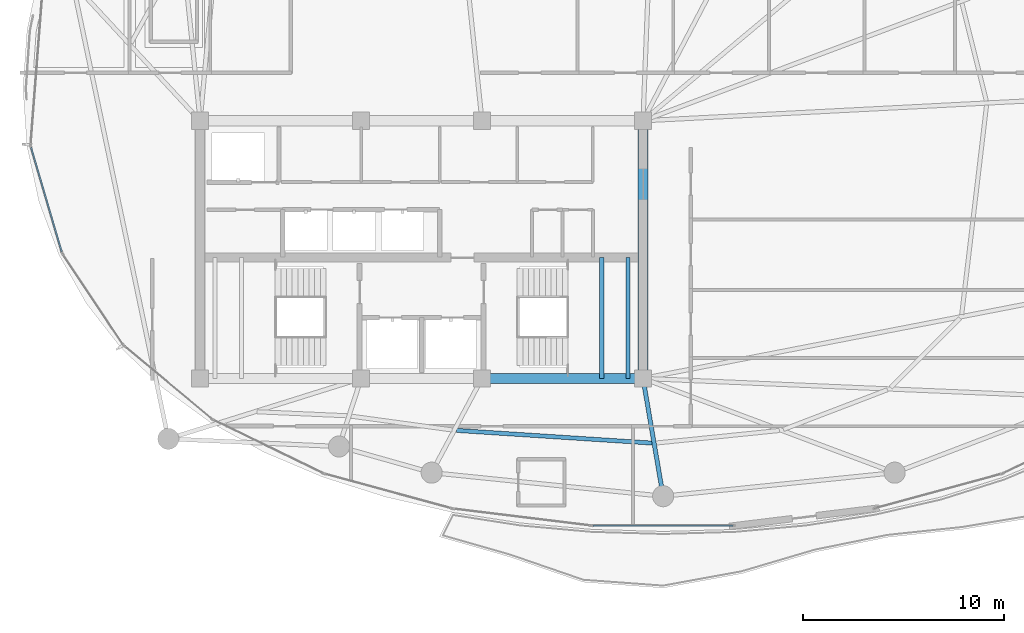
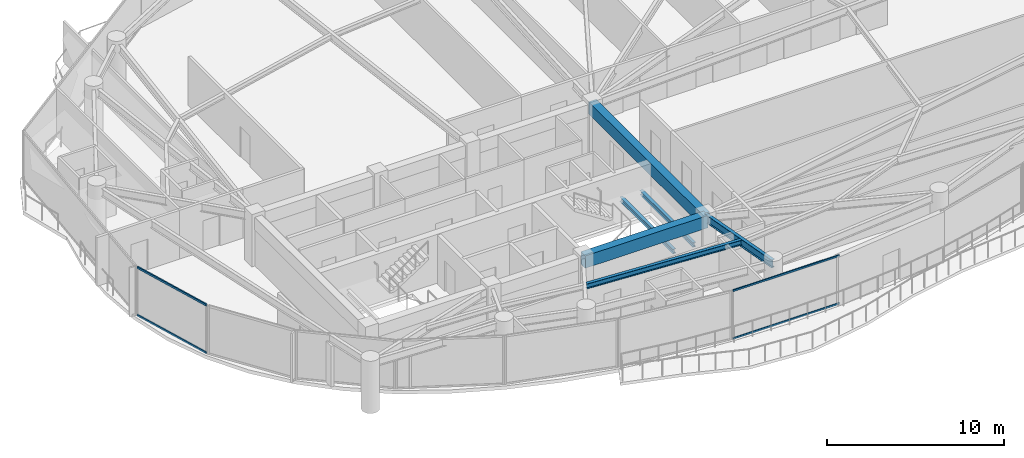
# One storey, part 7 of 31: 6 beams, 4 members, 2 elements without a shape of their own.
"""IFC4 building model written with IfcOpenShell, lengths in metres."""

from ifc_helpers import new_model, si_unit, direction, frame, origin, origin_2d, place, context, subcontext, project, spatial, rectangle, hollow_rectangle, i_section, extrude, material, layer, layer_set, material_profile, profile_set, type_object, element, aggregate, save


model = new_model("IFC4")

# Units and contexts
model_context = context("Model", 3, precision=1e-05, world=origin(), true_north=direction((0.0, 1.0)))
body_context = subcontext(model_context, "Body", "Model", "MODEL_VIEW")
ifc_project = project(units=[si_unit("LENGTHUNIT", "METRE"), si_unit("AREAUNIT", "SQUARE_METRE"), si_unit("VOLUMEUNIT", "CUBIC_METRE"), si_unit("PLANEANGLEUNIT", "RADIAN"), si_unit("MASSUNIT", "GRAM", prefix="KILO")], contexts=[model_context])

# Site, building, storey
site_placement = place(None, origin())
site = spatial("IfcSite", under=ifc_project, at=site_placement, CompositionType="ELEMENT")
building_placement = place(site_placement, origin())
building = spatial("IfcBuilding", under=site, at=building_placement, Name="Kazevale Care Tower and Concert Hall", CompositionType="ELEMENT")
storey_placement = place(building_placement, frame((0.0, 0.0, 206.39990234375)))
storey = spatial("IfcBuildingStorey", under=building, at=storey_placement, Name="L54", CompositionType="ELEMENT", Elevation=206.39990234375)

# Curtain wall, members
ifc_material_1 = material(Name="Aluminium 6063-T6 and Low-E Glass", Category="aluminium")
ifc_layer_1 = layer(ifc_material_1, 0.179931640625)
ifc_layer_set_1 = layer_set([ifc_layer_1], Name="Aluminium 6063-T6 and Low-E Glass")
curtain_wall_type_1 = type_object("IfcCurtainWallType", Name="Waist & Upper Residential Curtain Wall CW-4", PredefinedType="NOTDEFINED", material=ifc_layer_set_1)
curtain_wall_1_placement = place(storey_placement, origin())
curtain_wall_1 = element("IfcCurtainWall", 1, at=curtain_wall_1_placement, inside=storey, type_object=curtain_wall_type_1, Name="cw:L54:f12", PredefinedType="NOTDEFINED")
ifc_material_2 = material(Name="Aluminium 6063-T6", Category="aluminium")
ifc_material_profile_1 = material_profile(ifc_material_2, hollow_rectangle(XDim=0.080078125, YDim=0.139892578125, WallThickness=0.00390625, at=origin_2d()), Name="ALU80x140x4")
ifc_profile_set_1 = profile_set([ifc_material_profile_1], Name="Aluminium 6063-T6")
member_type_1 = type_object("IfcMemberType", Name="CW-4 Transom ALU80x140x4", PredefinedType="USERDEFINED", material=ifc_profile_set_1)
member_1_placement = place(storey_placement, frame((15.12548828125, 29.897705078125, 0.0400390625), z_axis=(-0.282102705943, 0.95938421047, 0.0), x_axis=(-0.95938421047, -0.282102705943, 0.0)))
member_1 = element("IfcMember", 2, at=member_1_placement, type_object=member_type_1, Name="CW-4 transom 1.1", ObjectType="TRANSOM", PredefinedType="USERDEFINED", context=body_context, shape_type="SweptSolid", body=[
    extrude(hollow_rectangle(XDim=0.080078125, YDim=0.139892578125, WallThickness=0.00390625, at=origin_2d()), origin(), (0.0, 0.0, 1.0), 5.402099609375),
])
member_2_placement = place(storey_placement, frame((15.12548828125, 29.897705078125, 3.320068359375), z_axis=(-0.282102705943, 0.95938421047, 0.0), x_axis=(-0.95938421047, -0.282102705943, 0.0)))
member_2 = element("IfcMember", 3, at=member_2_placement, type_object=member_type_1, Name="CW-4 transom 1.2", ObjectType="TRANSOM", PredefinedType="USERDEFINED", context=body_context, shape_type="SweptSolid", body=[
    extrude(hollow_rectangle(XDim=0.080078125, YDim=0.139892578125, WallThickness=0.00390625, at=origin_2d()), origin(), (0.0, 0.0, 1.0), 5.402099609375),
])
aggregate(curtain_wall_1, [member_1, member_2])

ifc_layer_2 = layer(ifc_material_1, 0.179931640625)
ifc_layer_set_2 = layer_set([ifc_layer_2], Name="Aluminium 6063-T6 and Low-E Glass")
curtain_wall_type_2 = type_object("IfcCurtainWallType", Name="Sheltered Concave Balcony Curtain Wall CW-5", PredefinedType="NOTDEFINED", material=ifc_layer_set_2)
curtain_wall_2_placement = place(storey_placement, origin())
curtain_wall_2 = element("IfcCurtainWall", 4, at=curtain_wall_2_placement, inside=storey, type_object=curtain_wall_type_2, Name="cw:L54:f06", PredefinedType="NOTDEFINED")
ifc_material_profile_2 = material_profile(ifc_material_2, hollow_rectangle(XDim=0.074951171875, YDim=0.1201171875, WallThickness=0.00390625, at=origin_2d()), Name="ALU75x120x4")
ifc_profile_set_2 = profile_set([ifc_material_profile_2], Name="Aluminium 6063-T6")
member_type_2 = type_object("IfcMemberType", Name="CW-5 Transom ALU75x120x4", PredefinedType="USERDEFINED", material=ifc_profile_set_2)
member_3_placement = place(storey_placement, frame((48.47509765625, 16.284912109375, 0.03759765625), z_axis=(-1.0, 0.0, 0.0), x_axis=(0.0, -1.0, 0.0)))
member_3 = element("IfcMember", 5, at=member_3_placement, type_object=member_type_2, Name="CW-5 transom 1.1", ObjectType="TRANSOM", PredefinedType="USERDEFINED", context=body_context, shape_type="SweptSolid", body=[
    extrude(hollow_rectangle(XDim=0.074951171875, YDim=0.1201171875, WallThickness=0.00390625, at=origin_2d()), origin(), (0.0, 0.0, 1.0), 6.9501953125),
])
member_4_placement = place(storey_placement, frame((48.47509765625, 16.284912109375, 3.322509765625), z_axis=(-1.0, 0.0, 0.0), x_axis=(0.0, -1.0, 0.0)))
member_4 = element("IfcMember", 6, at=member_4_placement, type_object=member_type_2, Name="CW-5 transom 1.2", ObjectType="TRANSOM", PredefinedType="USERDEFINED", context=body_context, shape_type="SweptSolid", body=[
    extrude(hollow_rectangle(XDim=0.074951171875, YDim=0.1201171875, WallThickness=0.00390625, at=origin_2d()), origin(), (0.0, 0.0, 1.0), 6.9501953125),
])
aggregate(curtain_wall_2, [member_3, member_4])

# Beams
ifc_material_3 = material(Name="Concrete C60", Category="concrete")
ifc_material_profile_3 = material_profile(ifc_material_3, rectangle(XDim=0.5, YDim=0.85009765625, at=origin_2d()), Name="RC-B500x850")
ifc_profile_set_3 = profile_set([ifc_material_profile_3], Name="Concrete C60")
beam_type_1 = type_object("IfcBeamType", Name="Core Coupling Beam RC500x850", PredefinedType="LINTEL", material=ifc_profile_set_3)
beam_1_placement = place(storey_placement, frame((36.0, 23.60009765625, 2.93505859375), z_axis=(1.0, 0.0, 0.0), x_axis=(0.0, 1.0, 0.0)))
element("IfcBeam", 7, at=beam_1_placement, inside=storey, type_object=beam_type_1, Name="beam:L54:coretie:3", PredefinedType="LINTEL", context=body_context, shape_type="SweptSolid", body=[
    extrude(rectangle(XDim=0.5, YDim=0.85009765625, at=origin_2d()), origin(), (0.0, 0.0, 1.0), 8.0),
])
beam_2_placement = place(storey_placement, frame((44.0, 23.60009765625, 2.93505859375), z_axis=(0.0, 1.0, 0.0), x_axis=(-1.0, 0.0, 0.0)))
element("IfcBeam", 8, at=beam_2_placement, inside=storey, type_object=beam_type_1, Name="beam:L54:coretie:4", PredefinedType="LINTEL", context=body_context, shape_type="SweptSolid", body=[
    extrude(rectangle(XDim=0.5, YDim=0.85009765625, at=origin_2d()), origin(), (0.0, 0.0, 1.0), 12.7998046875),
])
ifc_material_4 = material(Name="Steel ASTM A572 Gr 50", Category="steel")
ifc_material_profile_4 = material_profile(ifc_material_4, i_section(OverallWidth=0.2119140625, OverallDepth=0.5439453125, WebThickness=0.01318359375, FlangeThickness=0.021240234375, at=origin_2d()), Name="W530x123")
ifc_profile_set_4 = profile_set([ifc_material_profile_4], Name="Steel ASTM A572 Gr 50")
beam_type_2 = type_object("IfcBeamType", Name="Radial Floor Girder W530x123", PredefinedType="BEAM", material=ifc_profile_set_4)
beam_3_placement = place(storey_placement, frame((44.0, 23.60009765625, 3.088134765625), z_axis=(0.168493389607, -0.985702783631, 0.0), x_axis=(0.985702783631, 0.168493389607, 0.0)))
element("IfcBeam", 9, at=beam_3_placement, inside=storey, type_object=beam_type_2, Name="beam:L54:rad:13", PredefinedType="BEAM", context=body_context, shape_type="SweptSolid", body=[
    extrude(i_section(OverallWidth=0.2119140625, OverallDepth=0.5439453125, WebThickness=0.01318359375, FlangeThickness=0.021240234375, at=origin_2d()), origin(), (0.0, 0.0, 1.0), 5.93505859375),
])
ifc_material_profile_5 = material_profile(ifc_material_4, i_section(OverallWidth=0.205078125, OverallDepth=0.35400390625, WebThickness=0.009521484375, FlangeThickness=0.016845703125, at=origin_2d()), Name="W360x79")
ifc_profile_set_5 = profile_set([ifc_material_profile_5], Name="Steel ASTM A572 Gr 50")
beam_type_3 = type_object("IfcBeamType", Name="Secondary Floor Joist W360x79", PredefinedType="JOIST", material=ifc_profile_set_5)
beam_4_placement = place(storey_placement, frame((34.72998046875, 21.01904296875, 3.18310546875), z_axis=(0.997903161374, -0.064724651559, 0.0), x_axis=(0.064724651559, 0.997903161374, 0.0)))
element("IfcBeam", 10, at=beam_4_placement, inside=storey, type_object=beam_type_3, Name="beam:L54:joist:12", PredefinedType="JOIST", context=body_context, shape_type="SweptSolid", body=[
    extrude(i_section(OverallWidth=0.205078125, OverallDepth=0.35400390625, WebThickness=0.009521484375, FlangeThickness=0.016845703125, at=origin_2d()), origin(), (0.0, 0.0, 1.0), 9.735595703125),
])
ifc_material_profile_6 = material_profile(ifc_material_4, i_section(OverallWidth=0.202880859375, OverallDepth=0.302978515625, WebThickness=0.007568359375, FlangeThickness=0.01318359375, at=origin_2d()), Name="W310x60")
ifc_profile_set_6 = profile_set([ifc_material_profile_6], Name="Steel ASTM A572 Gr 50")
beam_type_4 = type_object("IfcBeamType", Name="Stair & Balcony Trimmer W310x60", PredefinedType="BEAM", material=ifc_profile_set_6)
for number, where, z_axis, x_axis, name in (
    (11, (41.949951171875, 23.60009765625, 1.448486328125), (0.0, 1.0, 0.0), (-1.0, 0.0, 0.0), "beam:L54:sttrim:ST2"),
    (12, (43.25, 23.60009765625, 1.448486328125), (0.0, 1.0, 0.0), (-1.0, 0.0, 0.0), "beam:L54:sttrim:ST2b"),
):
    element("IfcBeam", number, at=place(storey_placement, frame(where, z_axis=z_axis, x_axis=x_axis)), inside=storey, type_object=beam_type_4, Name=name, PredefinedType="BEAM", context=body_context, shape_type="SweptSolid", body=[
        extrude(i_section(OverallWidth=0.202880859375, OverallDepth=0.302978515625, WebThickness=0.007568359375, FlangeThickness=0.01318359375, at=origin_2d()), origin(), (0.0, 0.0, 1.0), 6.0),
    ])

save(model, "model.ifc")
